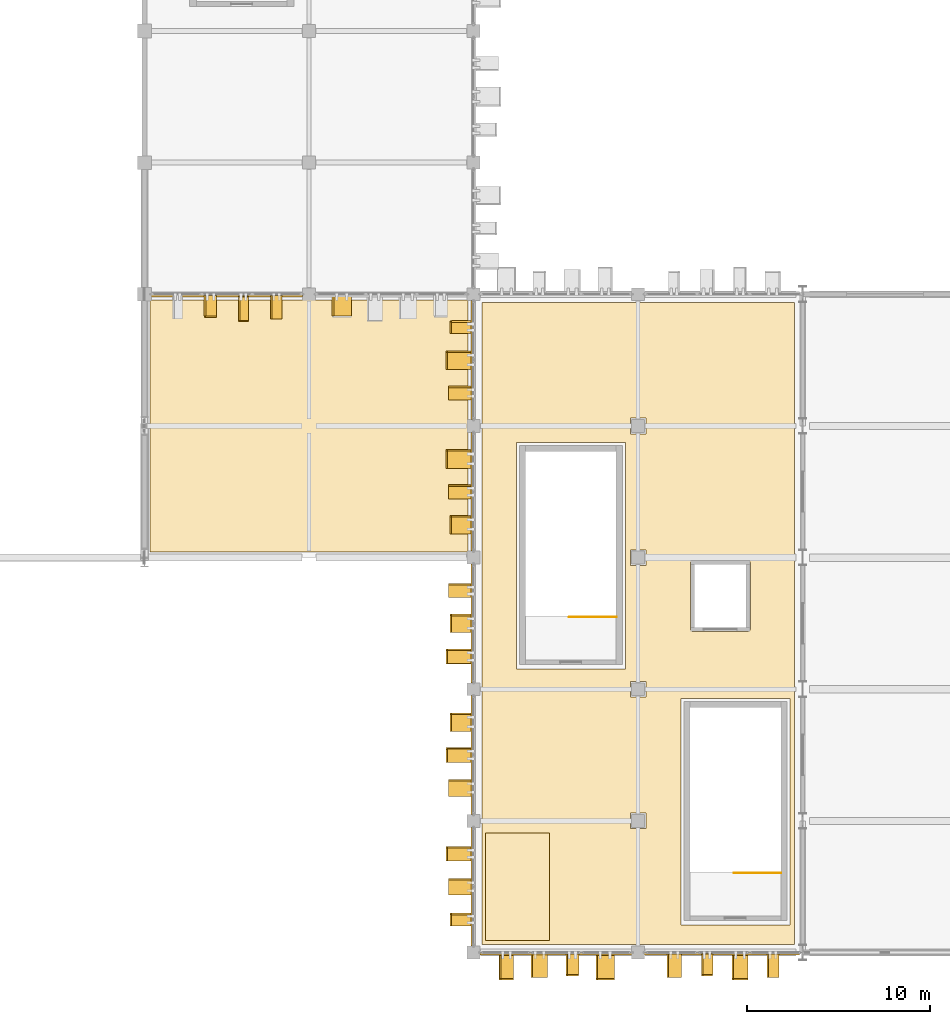
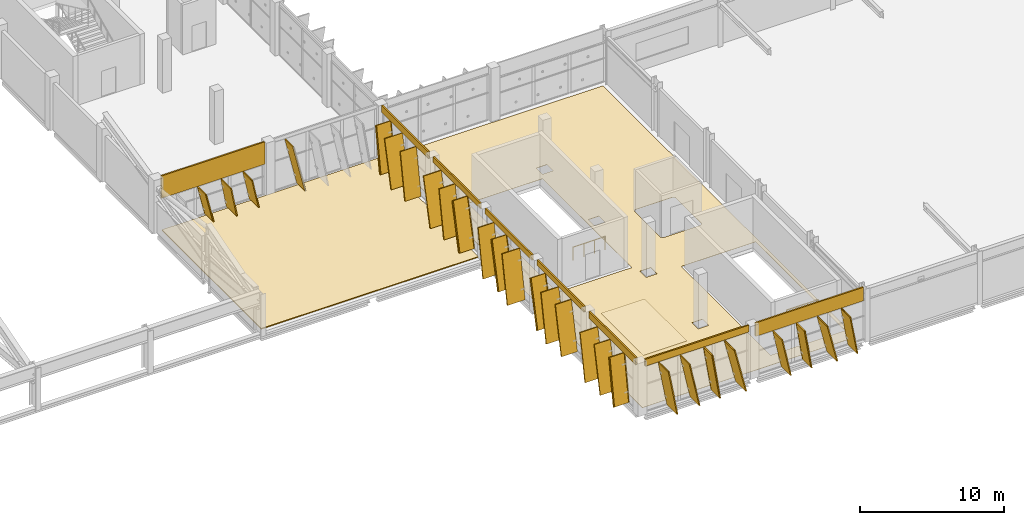
# One storey, part 133 of 151: 38 coverings, 26 shading devices, 2 railings.
"""IFC4 building model written with IfcOpenShell, lengths in metres."""

from ifc_helpers import new_model, si_unit, direction, frame, origin, origin_2d, place, context, subcontext, project, spatial, polyline, rectangle, circle, outline, extrude, material, layer, layer_set, material_profile, profile_set, type_object, element, save


model = new_model("IFC4")

# Units and contexts
model_context = context("Model", 3, precision=1e-05, world=origin(), true_north=direction((0.0, 1.0)))
body_context = subcontext(model_context, "Body", "Model", "MODEL_VIEW")
ifc_project = project(units=[si_unit("LENGTHUNIT", "METRE"), si_unit("AREAUNIT", "SQUARE_METRE"), si_unit("VOLUMEUNIT", "CUBIC_METRE"), si_unit("PLANEANGLEUNIT", "RADIAN"), si_unit("MASSUNIT", "GRAM", prefix="KILO")], contexts=[model_context])

# Site, building, storey
site_placement = place(None, origin())
site = spatial("IfcSite", under=ifc_project, at=site_placement, CompositionType="ELEMENT")
building_placement = place(site_placement, origin())
building = spatial("IfcBuilding", under=site, at=building_placement, Name="Celestram Park Convention Centre", CompositionType="ELEMENT")
storey_placement = place(building_placement, frame((0.0, 0.0, 10.800048828125)))
storey = spatial("IfcBuildingStorey", under=building, at=storey_placement, Name="L02", CompositionType="ELEMENT", Elevation=10.800048828125)

# Coverings
ifc_material_1 = material(Name="Anodised Bronze Aluminium Spandrel Cladding", Category="aluminium")
ifc_layer_1 = layer(ifc_material_1, 0.050048828125)
ifc_layer_set_1 = layer_set([ifc_layer_1], Name="Anodised Bronze Aluminium Spandrel Cladding")
covering_type_1 = type_object("IfcCoveringType", Name="ARC-COV-CLD060", PredefinedType="CLADDING", material=ifc_layer_set_1)
covering_1_placement = place(storey_placement, frame((157.5, -0.080078125, 3.35595703125), z_axis=(0.0, 0.0, 1.0), x_axis=(-1.0, 0.0, 0.0)))
element("IfcCovering", 1, at=covering_1_placement, inside=storey, type_object=covering_type_1, Name="Bronze spandrel cladding CL-L02-137", PredefinedType="CLADDING", context=body_context, shape_type="SweptSolid", body=[
    extrude(rectangle(XDim=8.64501953125, YDim=0.1201171875, at=origin_2d()), origin(), (0.0, 0.0, 1.0), 1.14404296875),
])
covering_2_placement = place(storey_placement, frame((148.5, -0.080078125, 3.923828125), z_axis=(0.0, 0.0, 1.0), x_axis=(-1.0, 0.0, 0.0)))
element("IfcCovering", 2, at=covering_2_placement, inside=storey, type_object=covering_type_1, Name="Bronze spandrel cladding CL-L02-138", PredefinedType="CLADDING", context=body_context, shape_type="SweptSolid", body=[
    extrude(rectangle(XDim=8.303955078125, YDim=0.1201171875, at=origin_2d()), origin(), (0.0, 0.0, 1.0), 0.575927734375),
])
covering_3_placement = place(storey_placement, frame((143.919921875, 3.60009765625, 3.923828125), z_axis=(0.0, 0.0, 1.0), x_axis=(0.0, 1.0, 0.0)))
element("IfcCovering", 3, at=covering_3_placement, inside=storey, type_object=covering_type_1, Name="Bronze spandrel cladding CL-L02-139", PredefinedType="CLADDING", context=body_context, shape_type="SweptSolid", body=[
    extrude(rectangle(XDim=6.50390625, YDim=0.1201171875, at=origin_2d()), origin(), (0.0, 0.0, 1.0), 0.575927734375),
])
for number, where, z_axis, x_axis, name in (
    (4, (143.919921875, 10.800048828125, 4.02978515625), (0.0, 0.0, 1.0), (0.0, 1.0, 0.0), "Bronze spandrel cladding CL-L02-140"),
    (5, (143.919921875, 18.0, 4.02978515625), (0.0, 0.0, 1.0), (0.0, 1.0, 0.0), "Bronze spandrel cladding CL-L02-141"),
    (6, (143.919921875, 25.199951171875, 4.02978515625), (0.0, 0.0, 1.0), (0.0, 1.0, 0.0), "Bronze spandrel cladding CL-L02-142"),
):
    element("IfcCovering", number, at=place(storey_placement, frame(where, z_axis=z_axis, x_axis=x_axis)), inside=storey, type_object=covering_type_1, Name=name, PredefinedType="CLADDING", context=body_context, shape_type="SweptSolid", body=[
        extrude(rectangle(XDim=6.50390625, YDim=0.1201171875, at=origin_2d()), origin(), (0.0, 0.0, 1.0), 0.469970703125),
    ])
covering_4_placement = place(storey_placement, frame((143.919921875, 32.39990234375, 3.923828125), z_axis=(0.0, 0.0, 1.0), x_axis=(0.0, 1.0, 0.0)))
element("IfcCovering", 7, at=covering_4_placement, inside=storey, type_object=covering_type_1, Name="Bronze spandrel cladding CL-L02-143", PredefinedType="CLADDING", context=body_context, shape_type="SweptSolid", body=[
    extrude(rectangle(XDim=6.50390625, YDim=0.1201171875, at=origin_2d()), origin(), (0.0, 0.0, 1.0), 0.575927734375),
])
covering_5_placement = place(storey_placement, frame((130.5, 35.919921875, 2.60888671875), z_axis=(0.0, 0.0, 1.0), x_axis=(-1.0, 0.0, 0.0)))
element("IfcCovering", 8, at=covering_5_placement, inside=storey, type_object=covering_type_1, Name="Bronze spandrel cladding CL-L02-194", PredefinedType="CLADDING", context=body_context, shape_type="SweptSolid", body=[
    extrude(rectangle(XDim=8.279052734375, YDim=0.1201171875, at=origin_2d()), origin(), (0.0, 0.0, 1.0), 1.89111328125),
])
ifc_material_2 = material(Name="Perforated Acoustic Mineral-Fibre Baffle Ceiling", Category="gypsum")
ifc_layer_2 = layer(ifc_material_2, 0.0400390625)
ifc_layer_set_2 = layer_set([ifc_layer_2], Name="Perforated Acoustic Mineral-Fibre Baffle Ceiling")
covering_type_2 = type_object("IfcCoveringType", Name="ARC-COV-CLG040", PredefinedType="CEILING", material=ifc_layer_set_2)
covering_6_placement = place(storey_placement, frame((0.0, 0.0, 4.219970703125)))
element("IfcCovering", 9, at=covering_6_placement, inside=storey, type_object=covering_type_2, Name="Grand Ballroom Pre-Function Gallery acoustic baffle ceiling", PredefinedType="CEILING", context=body_context, shape_type="SweptSolid", body=[
    extrude(outline(polyline([(144.64990234375, 0.64990234375), (148.14990234375, 0.64990234375), (148.14990234375, 6.550048828125), (144.64990234375, 6.550048828125), (144.64990234375, 0.64990234375)])), origin(), (0.0, 0.0, 1.0), 0.0400390625),
])
ifc_material_3 = material(Name="Timber-Toned Anodised Aluminium Alloy 6063-T6", Category="wood")
ifc_material_profile_1 = material_profile(ifc_material_3, rectangle(XDim=1.1201171875, YDim=0.090087890625, at=origin_2d()), Name="REED1120X90")
ifc_profile_set_1 = profile_set([ifc_material_profile_1], Name="Timber-Toned Anodised Aluminium Alloy 6063-T6")
covering_type_3 = type_object("IfcCoveringType", Name="ARC-COV-FIN1120", PredefinedType="CLADDING", material=ifc_profile_set_1)
covering_7_placement = place(storey_placement, frame((157.036376953125, -0.639892578125, 0.0263671875), z_axis=(-0.159873983247, 0.0, 0.987137431911), x_axis=(0.0, -1.0, 0.0)))
element("IfcCovering", 10, at=covering_7_placement, inside=storey, type_object=covering_type_3, Name="Leaning timber-toned reed fin RFN-L02-0431", PredefinedType="CLADDING", context=body_context, shape_type="SweptSolid", body=[
    extrude(rectangle(XDim=1.1201171875, YDim=0.090087890625, at=origin_2d()), origin(), (0.0, 0.0, 1.0), 3.325927734375),
])
for number, where, z_axis, x_axis, name in (
    (11, (149.711181640625, -0.639892578125, 0.030029296875), (-0.159873029239, 0.0, 0.987137586419), (0.0, -1.0, 0.0), "Leaning timber-toned reed fin RFN-L02-0434"),
    (12, (143.360107421875, 1.48876953125, 0.030029296875), (0.0, 0.159873029239, 0.987137586419), (-1.0, 0.0, 0.0), "Leaning timber-toned reed fin RFN-L02-0437"),
):
    element("IfcCovering", number, at=place(storey_placement, frame(where, z_axis=z_axis, x_axis=x_axis)), inside=storey, type_object=covering_type_3, Name=name, PredefinedType="CLADDING", context=body_context, shape_type="SweptSolid", body=[
        extrude(rectangle(XDim=1.1201171875, YDim=0.090087890625, at=origin_2d()), origin(), (0.0, 0.0, 1.0), 3.89404296875),
    ])
for number, where, z_axis, x_axis, name in (
    (13, (143.360107421875, 12.136474609375, 0.059326171875), (0.0, 0.231749798909, 0.972775426656), (-1.0, 0.0, 0.0), "Leaning timber-toned reed fin RFN-L02-0442"),
    (14, (143.360107421875, 17.53662109375, 0.059326171875), (0.0, 0.231692040774, 0.972789184892), (-1.0, 0.0, 0.0), "Leaning timber-toned reed fin RFN-L02-0444"),
    (15, (143.360107421875, 22.9365234375, 0.059326171875), (0.0, 0.231749798909, 0.972775426656), (-1.0, 0.0, 0.0), "Leaning timber-toned reed fin RFN-L02-0446"),
):
    element("IfcCovering", number, at=place(storey_placement, frame(where, z_axis=z_axis, x_axis=x_axis)), inside=storey, type_object=covering_type_3, Name=name, PredefinedType="CLADDING", context=body_context, shape_type="SweptSolid", body=[
        extrude(rectangle(XDim=1.1201171875, YDim=0.090087890625, at=origin_2d()), origin(), (0.0, 0.0, 1.0), 4.0),
    ])
covering_8_placement = place(storey_placement, frame((143.360107421875, 33.888671875, 0.030029296875), z_axis=(0.0, 0.159873029239, 0.987137586419), x_axis=(-1.0, 0.0, 0.0)))
element("IfcCovering", 16, at=covering_8_placement, inside=storey, type_object=covering_type_3, Name="Leaning timber-toned reed fin RFN-L02-0451", PredefinedType="CLADDING", context=body_context, shape_type="SweptSolid", body=[
    extrude(rectangle(XDim=1.1201171875, YDim=0.090087890625, at=origin_2d()), origin(), (0.0, 0.0, 1.0), 3.89404296875),
])
covering_9_placement = place(storey_placement, frame((137.285400390625, 35.360107421875, 0.06201171875), z_axis=(-0.231730809398, 0.0, 0.972779950439), x_axis=(0.0, -1.0, 0.0)))
element("IfcCovering", 17, at=covering_9_placement, inside=storey, type_object=covering_type_3, Name="Leaning timber-toned reed fin RFN-L02-0608", PredefinedType="CLADDING", context=body_context, shape_type="SweptSolid", body=[
    extrude(rectangle(XDim=1.1201171875, YDim=0.090087890625, at=origin_2d()), origin(), (0.0, 0.0, 1.0), 4.18994140625),
])
covering_10_placement = place(storey_placement, frame((129.911376953125, 35.360107421875, 0.0400390625), z_axis=(-0.231739974129, 0.0, 0.972777767217), x_axis=(0.0, -1.0, 0.0)))
element("IfcCovering", 18, at=covering_10_placement, inside=storey, type_object=covering_type_3, Name="Leaning timber-toned reed fin RFN-L02-0611", PredefinedType="CLADDING", context=body_context, shape_type="SweptSolid", body=[
    extrude(rectangle(XDim=1.1201171875, YDim=0.090087890625, at=origin_2d()), origin(), (0.0, 0.0, 1.0), 2.5791015625),
])
ifc_material_profile_2 = material_profile(ifc_material_3, rectangle(XDim=1.280029296875, YDim=0.090087890625, at=origin_2d()), Name="REED1280X90")
ifc_profile_set_2 = profile_set([ifc_material_profile_2], Name="Timber-Toned Anodised Aluminium Alloy 6063-T6")
covering_type_4 = type_object("IfcCoveringType", Name="ARC-COV-FIN1280", PredefinedType="CLADDING", material=ifc_profile_set_2)
covering_11_placement = place(storey_placement, frame((160.653564453125, -0.719970703125, 0.029296875), z_axis=(-0.170228928306, 0.0, 0.985404542291), x_axis=(0.0, -1.0, 0.0)))
element("IfcCovering", 19, at=covering_11_placement, inside=storey, type_object=covering_type_4, Name="Leaning timber-toned reed fin RFN-L02-0429", PredefinedType="CLADDING", context=body_context, shape_type="SweptSolid", body=[
    extrude(rectangle(XDim=1.280029296875, YDim=0.090087890625, at=origin_2d()), origin(), (0.0, 0.0, 1.0), 3.325927734375),
])
covering_12_placement = place(storey_placement, frame((155.319091796875, -0.719970703125, 0.041748046875), z_axis=(-0.209634355845, 0.0, 0.977779850912), x_axis=(0.0, -1.0, 0.0)))
element("IfcCovering", 20, at=covering_12_placement, inside=storey, type_object=covering_type_4, Name="Leaning timber-toned reed fin RFN-L02-0432", PredefinedType="CLADDING", context=body_context, shape_type="SweptSolid", body=[
    extrude(rectangle(XDim=1.280029296875, YDim=0.090087890625, at=origin_2d()), origin(), (0.0, 0.0, 1.0), 3.326171875),
])
for number, where, z_axis, x_axis, name in (
    (21, (148.008056640625, -0.719970703125, 0.04833984375), (-0.209601879855, 0.0, 0.977786813145), (0.0, -1.0, 0.0), "Leaning timber-toned reed fin RFN-L02-0435"),
    (22, (143.280029296875, 3.19189453125, 0.04833984375), (0.0, 0.209601879855, 0.977786813145), (-1.0, 0.0, 0.0), "Leaning timber-toned reed fin RFN-L02-0438"),
):
    element("IfcCovering", number, at=place(storey_placement, frame(where, z_axis=z_axis, x_axis=x_axis)), inside=storey, type_object=covering_type_4, Name=name, PredefinedType="CLADDING", context=body_context, shape_type="SweptSolid", body=[
        extrude(rectangle(XDim=1.280029296875, YDim=0.090087890625, at=origin_2d()), origin(), (0.0, 0.0, 1.0), 3.893798828125),
    ])
for number, where, z_axis, x_axis, name in (
    (23, (143.280029296875, 8.580810546875, 0.04931640625), (0.0, 0.209595780652, 0.977788120573), (-1.0, 0.0, 0.0), "Leaning timber-toned reed fin RFN-L02-0440"),
    (24, (143.280029296875, 19.459716796875, 0.0341796875), (0.0, 0.170166486945, 0.985415327017), (-1.0, 0.0, 0.0), "Leaning timber-toned reed fin RFN-L02-0445"),
    (25, (143.280029296875, 24.859619140625, 0.0341796875), (0.0, 0.170166486945, 0.985415327017), (-1.0, 0.0, 0.0), "Leaning timber-toned reed fin RFN-L02-0447"),
):
    element("IfcCovering", number, at=place(storey_placement, frame(where, z_axis=z_axis, x_axis=x_axis)), inside=storey, type_object=covering_type_4, Name=name, PredefinedType="CLADDING", context=body_context, shape_type="SweptSolid", body=[
        extrude(rectangle(XDim=1.280029296875, YDim=0.090087890625, at=origin_2d()), origin(), (0.0, 0.0, 1.0), 4.0),
    ])
covering_13_placement = place(storey_placement, frame((143.280029296875, 30.2685546875, 0.033447265625), z_axis=(0.0, 0.170221839846, 0.985405766798), x_axis=(-1.0, 0.0, 0.0)))
element("IfcCovering", 26, at=covering_13_placement, inside=storey, type_object=covering_type_4, Name="Leaning timber-toned reed fin RFN-L02-0449", PredefinedType="CLADDING", context=body_context, shape_type="SweptSolid", body=[
    extrude(rectangle(XDim=1.280029296875, YDim=0.090087890625, at=origin_2d()), origin(), (0.0, 0.0, 1.0), 3.89404296875),
])
covering_14_placement = place(storey_placement, frame((133.48291015625, 35.280029296875, 0.033447265625), z_axis=(-0.209658370264, 0.0, 0.977774701953), x_axis=(0.0, -1.0, 0.0)))
element("IfcCovering", 27, at=covering_14_placement, inside=storey, type_object=covering_type_4, Name="Leaning timber-toned reed fin RFN-L02-0609", PredefinedType="CLADDING", context=body_context, shape_type="SweptSolid", body=[
    extrude(rectangle(XDim=1.280029296875, YDim=0.090087890625, at=origin_2d()), origin(), (0.0, 0.0, 1.0), 2.579345703125),
])
ifc_material_profile_3 = material_profile(ifc_material_3, rectangle(XDim=1.419921875, YDim=0.090087890625, at=origin_2d()), Name="REED1420X90")
ifc_profile_set_3 = profile_set([ifc_material_profile_3], Name="Timber-Toned Anodised Aluminium Alloy 6063-T6")
covering_type_5 = type_object("IfcCoveringType", Name="ARC-COV-FIN1420", PredefinedType="CLADDING", material=ifc_profile_set_3)
covering_15_placement = place(storey_placement, frame((158.967041015625, -0.7900390625, 0.052978515625), z_axis=(-0.238491942743, 0.0, 0.97114447599), x_axis=(0.0, -1.0, 0.0)))
element("IfcCovering", 28, at=covering_15_placement, inside=storey, type_object=covering_type_5, Name="Leaning timber-toned reed fin RFN-L02-0430", PredefinedType="CLADDING", context=body_context, shape_type="SweptSolid", body=[
    extrude(rectangle(XDim=1.419921875, YDim=0.090087890625, at=origin_2d()), origin(), (0.0, 0.0, 1.0), 3.325927734375),
])
for number, where, z_axis, x_axis, name in (
    (29, (151.664306640625, -0.7900390625, 0.06103515625), (-0.238491540505, 0.0, 0.971144574771), (0.0, -1.0, 0.0), "Leaning timber-toned reed fin RFN-L02-0433"),
    (30, (146.151611328125, -0.7900390625, 0.036865234375), (-0.180562402366, 0.0, 0.983563530664), (0.0, -1.0, 0.0), "Leaning timber-toned reed fin RFN-L02-0436"),
    (31, (143.2099609375, 5.048583984375, 0.036865234375), (0.0, 0.180501750098, 0.983574663262), (-1.0, 0.0, 0.0), "Leaning timber-toned reed fin RFN-L02-0439"),
):
    element("IfcCovering", number, at=place(storey_placement, frame(where, z_axis=z_axis, x_axis=x_axis)), inside=storey, type_object=covering_type_5, Name=name, PredefinedType="CLADDING", context=body_context, shape_type="SweptSolid", body=[
        extrude(rectangle(XDim=1.419921875, YDim=0.090087890625, at=origin_2d()), origin(), (0.0, 0.0, 1.0), 3.89404296875),
    ])
for number, where, z_axis, x_axis, name in (
    (32, (143.2099609375, 10.43896484375, 0.037841796875), (0.0, 0.180480413107, 0.983578578704), (-1.0, 0.0, 0.0), "Leaning timber-toned reed fin RFN-L02-0441"),
    (33, (143.2099609375, 15.839111328125, 0.037841796875), (0.0, 0.180480413107, 0.983578578704), (-1.0, 0.0, 0.0), "Leaning timber-toned reed fin RFN-L02-0443"),
    (34, (143.2099609375, 26.52294921875, 0.062744140625), (0.0, 0.238526755046, 0.971135926185), (-1.0, 0.0, 0.0), "Leaning timber-toned reed fin RFN-L02-0448"),
):
    element("IfcCovering", number, at=place(storey_placement, frame(where, z_axis=z_axis, x_axis=x_axis)), inside=storey, type_object=covering_type_5, Name=name, PredefinedType="CLADDING", context=body_context, shape_type="SweptSolid", body=[
        extrude(rectangle(XDim=1.419921875, YDim=0.090087890625, at=origin_2d()), origin(), (0.0, 0.0, 1.0), 4.0),
    ])
covering_16_placement = place(storey_placement, frame((143.2099609375, 31.935546875, 0.06103515625), z_axis=(0.0, 0.23855066814, 0.971130052429), x_axis=(-1.0, 0.0, 0.0)))
element("IfcCovering", 35, at=covering_16_placement, inside=storey, type_object=covering_type_5, Name="Leaning timber-toned reed fin RFN-L02-0450", PredefinedType="CLADDING", context=body_context, shape_type="SweptSolid", body=[
    extrude(rectangle(XDim=1.419921875, YDim=0.090087890625, at=origin_2d()), origin(), (0.0, 0.0, 1.0), 3.89404296875),
])
covering_17_placement = place(storey_placement, frame((131.645263671875, 35.2099609375, 0.026123046875), z_axis=(-0.180526303131, 0.0, 0.98357015707), x_axis=(0.0, -1.0, 0.0)))
element("IfcCovering", 36, at=covering_17_placement, inside=storey, type_object=covering_type_5, Name="Leaning timber-toned reed fin RFN-L02-0610", PredefinedType="CLADDING", context=body_context, shape_type="SweptSolid", body=[
    extrude(rectangle(XDim=1.419921875, YDim=0.090087890625, at=origin_2d()), origin(), (0.0, 0.0, 1.0), 2.5791015625),
])
ifc_material_4 = material(Name="Polished Lakefront Aggregate Terrazzo Flooring", Category="concrete")
ifc_layer_3 = layer(ifc_material_4, 0.02001953125)
ifc_layer_set_3 = layer_set([ifc_layer_3], Name="Polished Lakefront Aggregate Terrazzo Flooring")
covering_type_6 = type_object("IfcCoveringType", Name="ARC-COV-FLR020", PredefinedType="FLOORING", material=ifc_layer_set_3)
covering_18_placement = place(storey_placement, origin())
element("IfcCovering", 37, at=covering_18_placement, inside=storey, type_object=covering_type_6, Name="Grand Ballroom Pre-Function Gallery terrazzo flooring", PredefinedType="FLOORING", context=body_context, shape_type="SweptSolid", body=[
    extrude(outline(polyline([(161.550048828125, 35.550048828125), (161.550048828125, 0.449951171875), (144.449951171875, 0.449951171875), (144.449951171875, 35.550048828125), (161.550048828125, 35.550048828125)]), holes=[polyline([(159.141357421875, 21.30810546875), (159.134765625, 21.326416015625), (159.12646484375, 21.34423828125), (159.1162109375, 21.361083984375), (159.1044921875, 21.376953125), (159.09130859375, 21.391357421875), (159.076904296875, 21.404541015625), (159.06103515625, 21.416259765625), (159.044189453125, 21.426513671875), (159.026611328125, 21.434814453125), (159.008056640625, 21.44140625), (158.989013671875, 21.4462890625), (158.969482421875, 21.448974609375), (158.949951171875, 21.449951171875), (156.050048828125, 21.449951171875), (156.030517578125, 21.448974609375), (156.010986328125, 21.4462890625), (155.991943359375, 21.44140625), (155.973388671875, 21.434814453125), (155.955810546875, 21.426513671875), (155.93896484375, 21.416259765625), (155.923095703125, 21.404541015625), (155.90869140625, 21.391357421875), (155.8955078125, 21.376953125), (155.8837890625, 21.361083984375), (155.87353515625, 21.34423828125), (155.865234375, 21.326416015625), (155.858642578125, 21.30810546875), (155.853759765625, 21.2890625), (155.85107421875, 21.26953125), (155.85009765625, 21.25), (155.85009765625, 21.25), (155.85009765625, 17.75), (155.85009765625, 17.75), (155.85107421875, 17.73046875), (155.853759765625, 17.7109375), (155.858642578125, 17.69189453125), (155.865234375, 17.673583984375), (155.87353515625, 17.65576171875), (155.8837890625, 17.638916015625), (155.8955078125, 17.623046875), (155.90869140625, 17.608642578125), (155.923095703125, 17.595458984375), (155.93896484375, 17.583740234375), (155.955810546875, 17.573486328125), (155.973388671875, 17.565185546875), (155.991943359375, 17.55859375), (156.010986328125, 17.5537109375), (156.030517578125, 17.551025390625), (156.050048828125, 17.550048828125), (158.949951171875, 17.550048828125), (158.969482421875, 17.551025390625), (158.989013671875, 17.5537109375), (159.008056640625, 17.55859375), (159.026611328125, 17.565185546875), (159.044189453125, 17.573486328125), (159.06103515625, 17.583740234375), (159.076904296875, 17.595458984375), (159.09130859375, 17.608642578125), (159.1044921875, 17.623046875), (159.1162109375, 17.638916015625), (159.12646484375, 17.65576171875), (159.134765625, 17.673583984375), (159.141357421875, 17.69189453125), (159.146240234375, 17.7109375), (159.14892578125, 17.73046875), (159.14990234375, 17.75), (159.14990234375, 17.75), (159.14990234375, 21.25), (159.14990234375, 21.25), (159.14892578125, 21.26953125), (159.146240234375, 21.2890625), (159.141357421875, 21.30810546875)]), polyline([(161.300048828125, 13.89990234375), (155.340087890625, 13.89990234375), (155.340087890625, 1.5), (161.300048828125, 1.5), (161.300048828125, 13.89990234375)]), polyline([(152.300048828125, 27.89990234375), (146.340087890625, 27.89990234375), (146.340087890625, 15.5), (152.300048828125, 15.5), (152.300048828125, 27.89990234375)]), polyline([(152.572021484375, 7.6279296875), (152.572021484375, 6.77197265625), (153.427978515625, 6.77197265625), (153.427978515625, 7.6279296875), (152.572021484375, 7.6279296875)]), polyline([(153.427978515625, 14.827880859375), (152.572021484375, 14.827880859375), (152.572021484375, 13.971923828125), (153.427978515625, 13.971923828125), (153.427978515625, 14.827880859375)]), polyline([(153.427978515625, 29.22802734375), (152.572021484375, 29.22802734375), (152.572021484375, 28.3720703125), (153.427978515625, 28.3720703125), (153.427978515625, 29.22802734375)]), polyline([(153.427978515625, 22.028076171875), (152.572021484375, 22.028076171875), (152.572021484375, 21.172119140625), (153.427978515625, 21.172119140625), (153.427978515625, 22.028076171875)])]), origin(), (0.0, 0.0, 1.0), 0.02001953125),
])
ifc_material_5 = material(Name="TPO Membrane & Polyisocyanurate Roof Insulation", Category="insulation")
ifc_layer_4 = layer(ifc_material_5, 0.080078125)
ifc_layer_set_4 = layer_set([ifc_layer_4], Name="TPO Membrane & Polyisocyanurate Roof Insulation")
covering_type_7 = type_object("IfcCoveringType", Name="ARC-COV-RFG180", PredefinedType="ROOFING", material=ifc_layer_set_4)
covering_19_placement = place(storey_placement, origin())
element("IfcCovering", 38, at=covering_19_placement, inside=storey, type_object=covering_type_7, Name="Insulated TPO roof membrane RFG-L02-02", PredefinedType="ROOFING", context=body_context, shape_type="SweptSolid", body=[
    extrude(outline(polyline([(126.300048828125, 35.699951171875), (143.699951171875, 35.699951171875), (143.699951171875, 21.89990234375), (126.300048828125, 21.89990234375), (126.300048828125, 35.699951171875)])), origin(), (0.0, 0.0, 1.0), 0.079833984375),
])

# Shading devices
ifc_material_6 = material(Name="Anodised Bronze Aluminium Alloy 6063-T6", Category="aluminium")
ifc_material_profile_4 = material_profile(ifc_material_6, rectangle(XDim=1.280029296875, YDim=0.080078125, at=origin_2d()), Name="FIN1280X80")
ifc_profile_set_4 = profile_set([ifc_material_profile_4], Name="Anodised Bronze Aluminium Alloy 6063-T6")
shading_device_type = type_object("IfcShadingDeviceType", Name="ARC-FIN-BZ1280", PredefinedType="USERDEFINED", material=ifc_profile_set_4)
for number, where, z_axis, x_axis, name in (
    (39, (160.653564453125, -0.719970703125, 0.029296875), (-0.170228928306, 0.0, 0.985404542291), (0.0, -1.0, 0.0), "Expressive solar fin FN-L02-0429"),
    (40, (158.967041015625, -0.7900390625, 0.052978515625), (-0.238491942743, 0.0, 0.97114447599), (0.0, -1.0, 0.0), "Expressive solar fin FN-L02-0430"),
    (41, (157.036376953125, -0.639892578125, 0.0263671875), (-0.159873983247, 0.0, 0.987137431911), (0.0, -1.0, 0.0), "Expressive solar fin FN-L02-0431"),
):
    element("IfcShadingDevice", number, at=place(storey_placement, frame(where, z_axis=z_axis, x_axis=x_axis)), inside=storey, type_object=shading_device_type, Name=name, ObjectType="SOLAR_FIN", PredefinedType="USERDEFINED", context=body_context, shape_type="SweptSolid", body=[
        extrude(rectangle(XDim=1.280029296875, YDim=0.080078125, at=origin_2d()), origin(), (0.0, 0.0, 1.0), 3.325927734375),
    ])
shading_device_1_placement = place(storey_placement, frame((155.319091796875, -0.719970703125, 0.041748046875), z_axis=(-0.209634355845, 0.0, 0.977779850912), x_axis=(0.0, -1.0, 0.0)))
element("IfcShadingDevice", 42, at=shading_device_1_placement, inside=storey, type_object=shading_device_type, Name="Expressive solar fin FN-L02-0432", ObjectType="SOLAR_FIN", PredefinedType="USERDEFINED", context=body_context, shape_type="SweptSolid", body=[
    extrude(rectangle(XDim=1.280029296875, YDim=0.080078125, at=origin_2d()), origin(), (0.0, 0.0, 1.0), 3.326171875),
])
for number, where, z_axis, x_axis, name in (
    (43, (151.664306640625, -0.7900390625, 0.06103515625), (-0.238491540505, 0.0, 0.971144574771), (0.0, -1.0, 0.0), "Expressive solar fin FN-L02-0433"),
    (44, (149.711181640625, -0.639892578125, 0.030029296875), (-0.159873029239, 0.0, 0.987137586419), (0.0, -1.0, 0.0), "Expressive solar fin FN-L02-0434"),
):
    element("IfcShadingDevice", number, at=place(storey_placement, frame(where, z_axis=z_axis, x_axis=x_axis)), inside=storey, type_object=shading_device_type, Name=name, ObjectType="SOLAR_FIN", PredefinedType="USERDEFINED", context=body_context, shape_type="SweptSolid", body=[
        extrude(rectangle(XDim=1.280029296875, YDim=0.080078125, at=origin_2d()), origin(), (0.0, 0.0, 1.0), 3.89404296875),
    ])
shading_device_2_placement = place(storey_placement, frame((148.008056640625, -0.719970703125, 0.04833984375), z_axis=(-0.209601879855, 0.0, 0.977786813145), x_axis=(0.0, -1.0, 0.0)))
element("IfcShadingDevice", 45, at=shading_device_2_placement, inside=storey, type_object=shading_device_type, Name="Expressive solar fin FN-L02-0435", ObjectType="SOLAR_FIN", PredefinedType="USERDEFINED", context=body_context, shape_type="SweptSolid", body=[
    extrude(rectangle(XDim=1.280029296875, YDim=0.080078125, at=origin_2d()), origin(), (0.0, 0.0, 1.0), 3.893798828125),
])
for number, where, z_axis, x_axis, name in (
    (46, (146.151611328125, -0.7900390625, 0.036865234375), (-0.180562402366, 0.0, 0.983563530664), (0.0, -1.0, 0.0), "Expressive solar fin FN-L02-0436"),
    (47, (143.360107421875, 1.48876953125, 0.030029296875), (0.0, 0.159873029239, 0.987137586419), (-1.0, 0.0, 0.0), "Expressive solar fin FN-L02-0437"),
):
    element("IfcShadingDevice", number, at=place(storey_placement, frame(where, z_axis=z_axis, x_axis=x_axis)), inside=storey, type_object=shading_device_type, Name=name, ObjectType="SOLAR_FIN", PredefinedType="USERDEFINED", context=body_context, shape_type="SweptSolid", body=[
        extrude(rectangle(XDim=1.280029296875, YDim=0.080078125, at=origin_2d()), origin(), (0.0, 0.0, 1.0), 3.89404296875),
    ])
shading_device_3_placement = place(storey_placement, frame((143.280029296875, 3.19189453125, 0.04833984375), z_axis=(0.0, 0.209601879855, 0.977786813145), x_axis=(-1.0, 0.0, 0.0)))
element("IfcShadingDevice", 48, at=shading_device_3_placement, inside=storey, type_object=shading_device_type, Name="Expressive solar fin FN-L02-0438", ObjectType="SOLAR_FIN", PredefinedType="USERDEFINED", context=body_context, shape_type="SweptSolid", body=[
    extrude(rectangle(XDim=1.280029296875, YDim=0.080078125, at=origin_2d()), origin(), (0.0, 0.0, 1.0), 3.893798828125),
])
shading_device_4_placement = place(storey_placement, frame((143.2099609375, 5.048583984375, 0.036865234375), z_axis=(0.0, 0.180501750098, 0.983574663262), x_axis=(-1.0, 0.0, 0.0)))
element("IfcShadingDevice", 49, at=shading_device_4_placement, inside=storey, type_object=shading_device_type, Name="Expressive solar fin FN-L02-0439", ObjectType="SOLAR_FIN", PredefinedType="USERDEFINED", context=body_context, shape_type="SweptSolid", body=[
    extrude(rectangle(XDim=1.280029296875, YDim=0.080078125, at=origin_2d()), origin(), (0.0, 0.0, 1.0), 3.89404296875),
])
for number, where, z_axis, x_axis, name in (
    (50, (143.280029296875, 8.580810546875, 0.04931640625), (0.0, 0.209595780652, 0.977788120573), (-1.0, 0.0, 0.0), "Expressive solar fin FN-L02-0440"),
    (51, (143.2099609375, 10.43896484375, 0.037841796875), (0.0, 0.180480413107, 0.983578578704), (-1.0, 0.0, 0.0), "Expressive solar fin FN-L02-0441"),
    (52, (143.360107421875, 12.136474609375, 0.059326171875), (0.0, 0.231749798909, 0.972775426656), (-1.0, 0.0, 0.0), "Expressive solar fin FN-L02-0442"),
    (53, (143.2099609375, 15.839111328125, 0.037841796875), (0.0, 0.180480413107, 0.983578578704), (-1.0, 0.0, 0.0), "Expressive solar fin FN-L02-0443"),
    (54, (143.360107421875, 17.53662109375, 0.059326171875), (0.0, 0.231692040774, 0.972789184892), (-1.0, 0.0, 0.0), "Expressive solar fin FN-L02-0444"),
    (55, (143.280029296875, 19.459716796875, 0.0341796875), (0.0, 0.170166486945, 0.985415327017), (-1.0, 0.0, 0.0), "Expressive solar fin FN-L02-0445"),
    (56, (143.360107421875, 22.9365234375, 0.059326171875), (0.0, 0.231749798909, 0.972775426656), (-1.0, 0.0, 0.0), "Expressive solar fin FN-L02-0446"),
    (57, (143.280029296875, 24.859619140625, 0.0341796875), (0.0, 0.170166486945, 0.985415327017), (-1.0, 0.0, 0.0), "Expressive solar fin FN-L02-0447"),
    (58, (143.2099609375, 26.52294921875, 0.062744140625), (0.0, 0.238526755046, 0.971135926185), (-1.0, 0.0, 0.0), "Expressive solar fin FN-L02-0448"),
):
    element("IfcShadingDevice", number, at=place(storey_placement, frame(where, z_axis=z_axis, x_axis=x_axis)), inside=storey, type_object=shading_device_type, Name=name, ObjectType="SOLAR_FIN", PredefinedType="USERDEFINED", context=body_context, shape_type="SweptSolid", body=[
        extrude(rectangle(XDim=1.280029296875, YDim=0.080078125, at=origin_2d()), origin(), (0.0, 0.0, 1.0), 4.0),
    ])
for number, where, z_axis, x_axis, name in (
    (59, (143.280029296875, 30.2685546875, 0.033447265625), (0.0, 0.170221839846, 0.985405766798), (-1.0, 0.0, 0.0), "Expressive solar fin FN-L02-0449"),
    (60, (143.2099609375, 31.935546875, 0.06103515625), (0.0, 0.23855066814, 0.971130052429), (-1.0, 0.0, 0.0), "Expressive solar fin FN-L02-0450"),
    (61, (143.360107421875, 33.888671875, 0.030029296875), (0.0, 0.159873029239, 0.987137586419), (-1.0, 0.0, 0.0), "Expressive solar fin FN-L02-0451"),
):
    element("IfcShadingDevice", number, at=place(storey_placement, frame(where, z_axis=z_axis, x_axis=x_axis)), inside=storey, type_object=shading_device_type, Name=name, ObjectType="SOLAR_FIN", PredefinedType="USERDEFINED", context=body_context, shape_type="SweptSolid", body=[
        extrude(rectangle(XDim=1.280029296875, YDim=0.080078125, at=origin_2d()), origin(), (0.0, 0.0, 1.0), 3.89404296875),
    ])
shading_device_5_placement = place(storey_placement, frame((133.48291015625, 35.280029296875, 0.033447265625), z_axis=(-0.209658370264, 0.0, 0.977774701953), x_axis=(0.0, -1.0, 0.0)))
element("IfcShadingDevice", 62, at=shading_device_5_placement, inside=storey, type_object=shading_device_type, Name="Expressive solar fin FN-L02-0609", ObjectType="SOLAR_FIN", PredefinedType="USERDEFINED", context=body_context, shape_type="SweptSolid", body=[
    extrude(rectangle(XDim=1.280029296875, YDim=0.080078125, at=origin_2d()), origin(), (0.0, 0.0, 1.0), 2.579345703125),
])
for number, where, z_axis, x_axis, name in (
    (63, (131.645263671875, 35.2099609375, 0.026123046875), (-0.180526303131, 0.0, 0.98357015707), (0.0, -1.0, 0.0), "Expressive solar fin FN-L02-0610"),
    (64, (129.911376953125, 35.360107421875, 0.0400390625), (-0.231739974129, 0.0, 0.972777767217), (0.0, -1.0, 0.0), "Expressive solar fin FN-L02-0611"),
):
    element("IfcShadingDevice", number, at=place(storey_placement, frame(where, z_axis=z_axis, x_axis=x_axis)), inside=storey, type_object=shading_device_type, Name=name, ObjectType="SOLAR_FIN", PredefinedType="USERDEFINED", context=body_context, shape_type="SweptSolid", body=[
        extrude(rectangle(XDim=1.280029296875, YDim=0.080078125, at=origin_2d()), origin(), (0.0, 0.0, 1.0), 2.5791015625),
    ])

# Railings
ifc_material_7 = material(Name="Stainless Steel AISI 316L & Laminated Glass", Category="steel")
ifc_layer_5 = layer(ifc_material_7, 0.06005859375)
ifc_layer_set_5 = layer_set([ifc_layer_5], Name="Stainless Steel AISI 316L & Laminated Glass")
railing_type = type_object("IfcRailingType", Name="ARC-RL-GRD1120", PredefinedType="GUARDRAIL", material=ifc_layer_set_5)
for number, where, name in (
    (65, (151.800048828125, 18.35009765625, 0.0), "L02 ST-06 top well guard 1"),
    (66, (160.800048828125, 4.35009765625, 0.0), "L02 ST-21 top well guard 1"),
):
    element("IfcRailing", number, at=place(storey_placement, frame(where)), inside=storey, type_object=railing_type, Name=name, PredefinedType="GUARDRAIL", context=body_context, shape_type="SweptSolid", body=[
        extrude(circle(Radius=0.02392578125, at=origin_2d()), frame((0.0, 0.0, 1.09619140625), z_axis=(-1.0, 0.0, 0.0), x_axis=(0.0, -1.0, 0.0)), (0.0, 0.0, 1.0), 2.56005859375),
        extrude(circle(Radius=0.02099609375, at=origin_2d()), origin(), (0.0, 0.0, 1.0), 1.072021484375),
        extrude(circle(Radius=0.02099609375, at=origin_2d()), frame((-0.853271484375, 0.0, 0.0)), (0.0, 0.0, 1.0), 1.072021484375),
        extrude(circle(Radius=0.02099609375, at=origin_2d()), frame((-1.706787109375, 0.0, 0.0)), (0.0, 0.0, 1.0), 1.072021484375),
        extrude(circle(Radius=0.02099609375, at=origin_2d()), frame((-2.56005859375, 0.0, 0.0)), (0.0, 0.0, 1.0), 1.072021484375),
    ])

save(model, "model.ifc")
